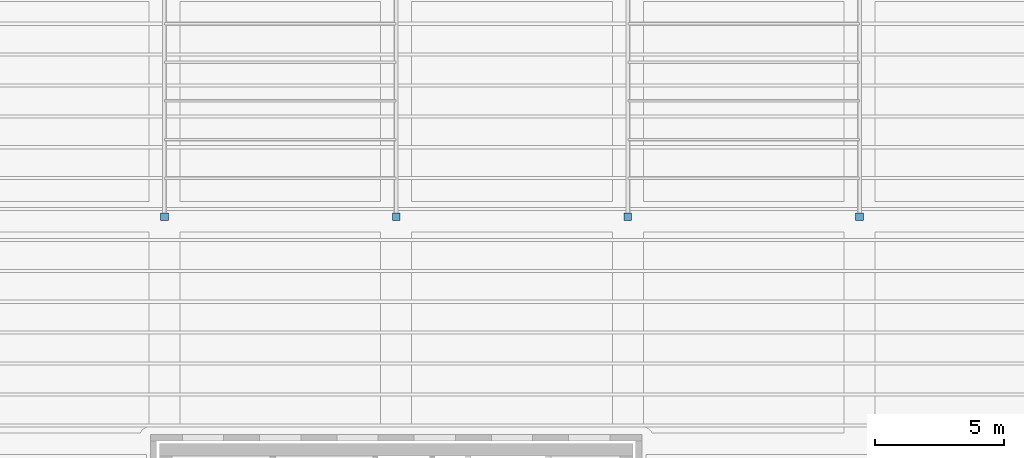
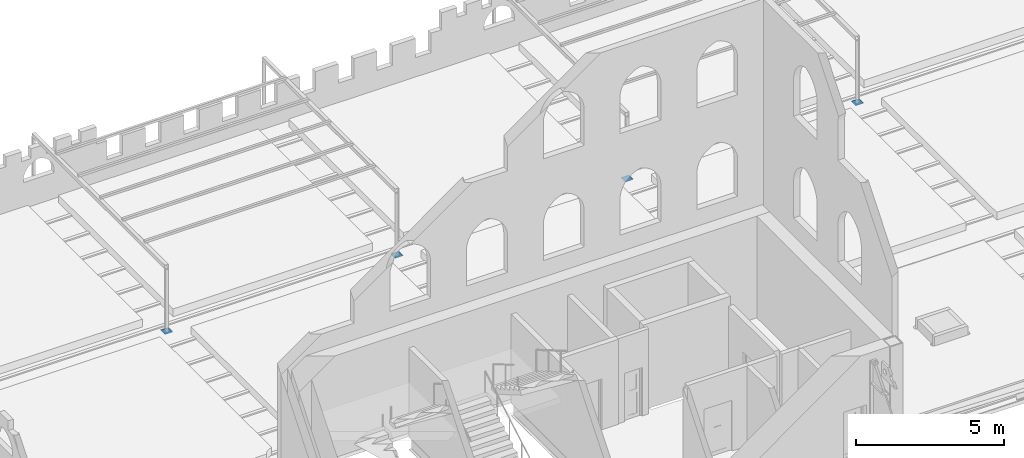
# One storey, part 122 of 153: 4 discrete accessories.
"""IFC4 building model written with IfcOpenShell, lengths in metres."""

from ifc_helpers import new_model, si_unit, direction, frame, origin, origin_2d, place, context, subcontext, project, spatial, rectangle, extrude, material, type_object, element, save


model = new_model("IFC4")

# Units and contexts
model_context = context("Model", 3, precision=1e-05, world=origin(), true_north=direction((0.0, 1.0)))
body_context = subcontext(model_context, "Body", "Model", "MODEL_VIEW")
ifc_project = project(units=[si_unit("LENGTHUNIT", "METRE"), si_unit("AREAUNIT", "SQUARE_METRE"), si_unit("VOLUMEUNIT", "CUBIC_METRE"), si_unit("PLANEANGLEUNIT", "RADIAN"), si_unit("MASSUNIT", "GRAM", prefix="KILO")], contexts=[model_context])

# Site, building, storey
site_placement = place(None, origin())
site = spatial("IfcSite", under=ifc_project, at=site_placement, CompositionType="ELEMENT")
building_placement = place(site_placement, origin())
building = spatial("IfcBuilding", under=site, at=building_placement, Name="Baradari Gate Terminus", CompositionType="ELEMENT")
storey_placement = place(building_placement, frame((0.0, 0.0, 11.699951171875)))
storey = spatial("IfcBuildingStorey", under=building, at=storey_placement, Name="L02", CompositionType="ELEMENT", Elevation=11.699951171875)

# Discrete accessories
ifc_material = material(Name="Steel S355", Category="steel")
discrete_accessory_type = type_object("IfcDiscreteAccessoryType", Name="Pergola base plate PGP-1 300x300x12", PredefinedType="BRACKET", material=ifc_material)
for number, where, z_axis, x_axis, name in (
    (1, (72.0, 99.0, 0.0), (0.0, 0.0, 1.0), (1.0, 0.0, 0.0), "Pergola base plate W1"),
    (2, (81.0, 99.0, 0.0), (0.0, 0.0, 1.0), (1.0, 0.0, 0.0), "Pergola base plate W1"),
    (3, (90.0, 99.0, 0.0), (0.0, 0.0, 1.0), (1.0, 0.0, 0.0), "Pergola base plate W2"),
    (4, (99.0, 99.0, 0.0), (0.0, 0.0, 1.0), (1.0, 0.0, 0.0), "Pergola base plate W2"),
):
    element("IfcDiscreteAccessory", number, at=place(storey_placement, frame(where, z_axis=z_axis, x_axis=x_axis)), inside=storey, type_object=discrete_accessory_type, Name=name, PredefinedType="BRACKET", context=body_context, shape_type="SweptSolid", body=[
        extrude(rectangle(XDim=0.300048828125, YDim=0.300048828125, at=origin_2d()), origin(), (0.0, 0.0, 1.0), 0.011962890625),
    ])

save(model, "model.ifc")
